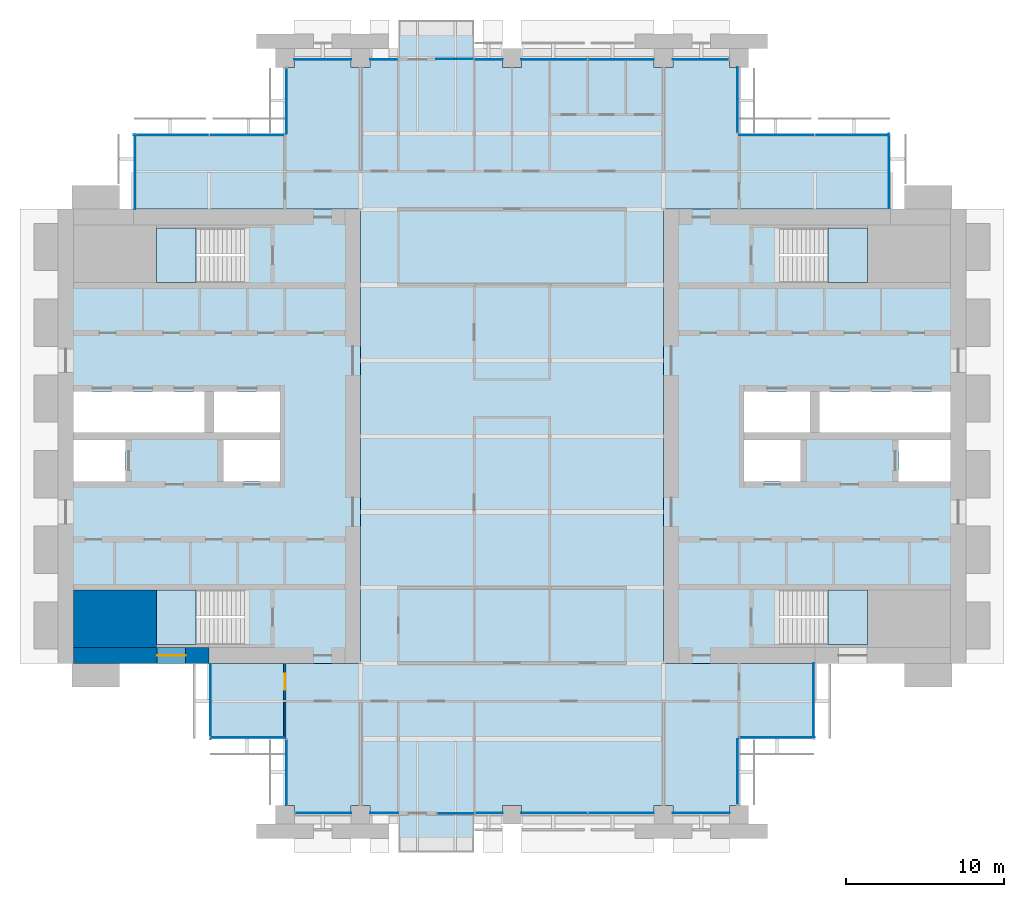
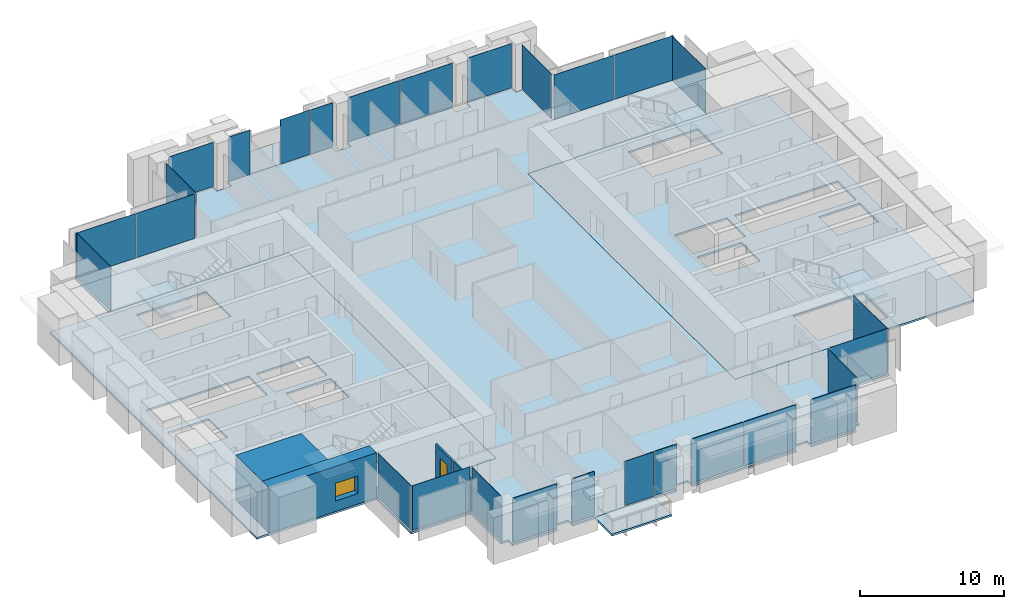
# One storey, part 8 of 15: 28 plates, 9 slabs, 4 walls, 1 door, 1 window, 2 openings, 22 elements without a shape of their own.
"""IFC4 building model written with IfcOpenShell, lengths in metres."""

from ifc_helpers import new_model, si_unit, direction, frame, frame_2d, origin, origin_2d, place, context, subcontext, project, spatial, polyline, rectangle, outline, extrude, material, layer, layer_set, type_object, element, fill, aggregate, save


model = new_model("IFC4")

# Units and contexts
model_context = context("Model", 3, precision=1e-05, world=origin(), true_north=direction((0.0, 1.0)))
body_context = subcontext(model_context, "Body", "Model", "MODEL_VIEW")
ifc_project = project(units=[si_unit("LENGTHUNIT", "METRE"), si_unit("AREAUNIT", "SQUARE_METRE"), si_unit("VOLUMEUNIT", "CUBIC_METRE"), si_unit("PLANEANGLEUNIT", "RADIAN"), si_unit("MASSUNIT", "GRAM", prefix="KILO")], contexts=[model_context])

# Site, building, storey
site_placement = place(None, origin())
site = spatial("IfcSite", under=ifc_project, at=site_placement, CompositionType="ELEMENT")
building_placement = place(site_placement, origin())
building = spatial("IfcBuilding", under=site, at=building_placement, Name="Baori Bourse Tower", CompositionType="ELEMENT")
storey_placement = place(building_placement, frame((0.0, 0.0, 128.10009765625)))
storey = spatial("IfcBuildingStorey", under=building, at=storey_placement, Name="L27", CompositionType="ELEMENT", Elevation=128.10009765625)

# Slabs
ifc_material_1 = material(Name="Concrete f'c 40 MPa", Category="concrete")
ifc_layer_1 = layer(ifc_material_1, 0.159912109375)
ifc_layer_set_1 = layer_set([ifc_layer_1], Name="BL2 Balcony slab 160")
slab_type_1 = type_object("IfcSlabType", Name="BL2 Balcony slab 160", PredefinedType="FLOOR", material=ifc_layer_set_1)
slab_1_placement = place(storey_placement, frame((0.0, 0.0, -0.16015625)))
element("IfcSlab", 1, at=slab_1_placement, inside=storey, type_object=slab_type_1, Name="Balcony slab L27 S", PredefinedType="FLOOR", context=body_context, shape_type="SweptSolid", body=[
    extrude(outline(polyline([(21.60009765625, 0.0), (21.60009765625, -2.39990234375), (26.39990234375, -2.39990234375), (26.39990234375, 0.0), (21.60009765625, 0.0)])), origin(), (0.0, 0.0, 1.0), 0.16015625),
])
slab_2_placement = place(storey_placement, frame((0.0, 0.0, -0.16015625)))
element("IfcSlab", 2, at=slab_2_placement, inside=storey, type_object=slab_type_1, Name="Balcony slab L27 N", PredefinedType="FLOOR", context=body_context, shape_type="SweptSolid", body=[
    extrude(outline(polyline([(21.60009765625, 48.0), (26.39990234375, 48.0), (26.39990234375, 50.39990234375), (21.60009765625, 50.39990234375), (21.60009765625, 48.0)])), origin(), (0.0, 0.0, 1.0), 0.16015625),
])

# Curtain wall, plates
ifc_material_2 = material(Name="Pale anodised aluminium", Category="aluminium")
curtain_wall_type_1 = type_object("IfcCurtainWallType", Name="CW1 Curtain wall", PredefinedType="NOTDEFINED", material=ifc_material_2)
curtain_wall_1_placement = place(storey_placement, origin())
curtain_wall_1 = element("IfcCurtainWall", 3, at=curtain_wall_1_placement, inside=storey, type_object=curtain_wall_type_1, Name="Curtain wall CW1 L27 4", PredefinedType="NOTDEFINED")
ifc_material_3 = material(Name="Clear glass", Category="glass")
ifc_layer_2 = layer(ifc_material_3, 0.033935546875)
ifc_layer_set_2 = layer_set([ifc_layer_2], Name="CW1 Curtain wall panel")
plate_type_1 = type_object("IfcPlateType", Name="CW1 Curtain wall panel", PredefinedType="CURTAIN_PANEL", material=ifc_layer_set_2)
plate_1_placement = place(storey_placement, frame((40.77001953125, 47.89990234375, 0.080078125), z_axis=(0.0, 0.0, 1.0), x_axis=(-1.0, 0.0, 0.0)))
plate_1 = element("IfcPlate", 4, at=plate_1_placement, type_object=plate_type_1, Name="Curtain wall CW1 panel", PredefinedType="CURTAIN_PANEL", context=body_context, shape_type="SweptSolid", body=[
    extrude(rectangle(XDim=3.5400390625, YDim=0.033935546875, at=origin_2d()), origin(), (0.0, 0.0, 1.0), 3.760009765625),
])
plate_2_placement = place(storey_placement, frame((35.715087890625, 47.89990234375, 0.080078125), z_axis=(0.0, 0.0, 1.0), x_axis=(-1.0, 0.0, 0.0)))
plate_2 = element("IfcPlate", 5, at=plate_2_placement, type_object=plate_type_1, Name="Curtain wall CW1 panel", PredefinedType="CURTAIN_PANEL", context=body_context, shape_type="SweptSolid", body=[
    extrude(rectangle(XDim=4.169921875, YDim=0.033935546875, at=origin_2d()), origin(), (0.0, 0.0, 1.0), 3.760009765625),
])
plate_3_placement = place(storey_placement, frame((31.485107421875, 47.89990234375, 0.080078125), z_axis=(0.0, 0.0, 1.0), x_axis=(-1.0, 0.0, 0.0)))
plate_3 = element("IfcPlate", 6, at=plate_3_placement, type_object=plate_type_1, Name="Curtain wall CW1 panel", PredefinedType="CURTAIN_PANEL", context=body_context, shape_type="SweptSolid", body=[
    extrude(rectangle(XDim=4.169921875, YDim=0.033935546875, at=origin_2d()), origin(), (0.0, 0.0, 1.0), 3.760009765625),
])
plate_4_placement = place(storey_placement, frame((27.300048828125, 47.89990234375, 0.080078125), z_axis=(0.0, 0.0, 1.0), x_axis=(-1.0, 0.0, 0.0)))
plate_4 = element("IfcPlate", 7, at=plate_4_placement, type_object=plate_type_1, Name="Curtain wall CW1 panel", PredefinedType="CURTAIN_PANEL", context=body_context, shape_type="SweptSolid", body=[
    extrude(rectangle(XDim=1.800048828125, YDim=0.033935546875, at=origin_2d()), origin(), (0.0, 0.0, 1.0), 3.760009765625),
])
aggregate(curtain_wall_1, [plate_1, plate_2, plate_3, plate_4])

curtain_wall_2_placement = place(storey_placement, origin())
curtain_wall_2 = element("IfcCurtainWall", 8, at=curtain_wall_2_placement, inside=storey, type_object=curtain_wall_type_1, Name="Curtain wall CW1 L27 6", PredefinedType="NOTDEFINED")
plate_5_placement = place(storey_placement, frame((20.669921875, 47.89990234375, 0.080078125), z_axis=(0.0, 0.0, 1.0), x_axis=(-1.0, 0.0, 0.0)))
plate_5 = element("IfcPlate", 9, at=plate_5_placement, type_object=plate_type_1, Name="Curtain wall CW1 panel", PredefinedType="CURTAIN_PANEL", context=body_context, shape_type="SweptSolid", body=[
    extrude(rectangle(XDim=1.739990234375, YDim=0.033935546875, at=origin_2d()), origin(), (0.0, 0.0, 1.0), 3.760009765625),
])
plate_6_placement = place(storey_placement, frame((16.800048828125, 47.89990234375, 0.080078125), z_axis=(0.0, 0.0, 1.0), x_axis=(-1.0, 0.0, 0.0)))
plate_6 = element("IfcPlate", 10, at=plate_6_placement, type_object=plate_type_1, Name="Curtain wall CW1 panel", PredefinedType="CURTAIN_PANEL", context=body_context, shape_type="SweptSolid", body=[
    extrude(rectangle(XDim=3.60009765625, YDim=0.033935546875, at=origin_2d()), origin(), (0.0, 0.0, 1.0), 3.760009765625),
])
aggregate(curtain_wall_2, [plate_5, plate_6])

curtain_wall_3_placement = place(storey_placement, origin())
curtain_wall_3 = element("IfcCurtainWall", 11, at=curtain_wall_3_placement, inside=storey, type_object=curtain_wall_type_1, Name="Curtain wall CW1 L27 13", PredefinedType="NOTDEFINED")
plate_7_placement = place(storey_placement, frame((16.830078125, 0.10009765625, 0.080078125), z_axis=(0.0, 0.0, 1.0), x_axis=(1.0, 0.0, 0.0)))
plate_7 = element("IfcPlate", 12, at=plate_7_placement, type_object=plate_type_1, Name="Curtain wall CW1 panel", PredefinedType="CURTAIN_PANEL", context=body_context, shape_type="SweptSolid", body=[
    extrude(rectangle(XDim=3.5400390625, YDim=0.033935546875, at=origin_2d()), origin(), (0.0, 0.0, 1.0), 3.760009765625),
])
plate_8_placement = place(storey_placement, frame((20.699951171875, 0.10009765625, 0.080078125), z_axis=(0.0, 0.0, 1.0), x_axis=(1.0, 0.0, 0.0)))
plate_8 = element("IfcPlate", 13, at=plate_8_placement, type_object=plate_type_1, Name="Curtain wall CW1 panel", PredefinedType="CURTAIN_PANEL", context=body_context, shape_type="SweptSolid", body=[
    extrude(rectangle(XDim=1.800048828125, YDim=0.033935546875, at=origin_2d()), origin(), (0.0, 0.0, 1.0), 3.760009765625),
])
aggregate(curtain_wall_3, [plate_7, plate_8])

curtain_wall_4_placement = place(storey_placement, origin())
curtain_wall_4 = element("IfcCurtainWall", 14, at=curtain_wall_4_placement, inside=storey, type_object=curtain_wall_type_1, Name="Curtain wall CW1 L27 15", PredefinedType="NOTDEFINED")
plate_9_placement = place(storey_placement, frame((27.330078125, 0.10009765625, 0.080078125), z_axis=(0.0, 0.0, 1.0), x_axis=(1.0, 0.0, 0.0)))
plate_9 = element("IfcPlate", 15, at=plate_9_placement, type_object=plate_type_1, Name="Curtain wall CW1 panel", PredefinedType="CURTAIN_PANEL", context=body_context, shape_type="SweptSolid", body=[
    extrude(rectangle(XDim=1.739990234375, YDim=0.033935546875, at=origin_2d()), origin(), (0.0, 0.0, 1.0), 3.760009765625),
])
plate_10_placement = place(storey_placement, frame((31.485107421875, 0.10009765625, 0.080078125), z_axis=(0.0, 0.0, 1.0), x_axis=(1.0, 0.0, 0.0)))
plate_10 = element("IfcPlate", 16, at=plate_10_placement, type_object=plate_type_1, Name="Curtain wall CW1 panel", PredefinedType="CURTAIN_PANEL", context=body_context, shape_type="SweptSolid", body=[
    extrude(rectangle(XDim=4.169921875, YDim=0.033935546875, at=origin_2d()), origin(), (0.0, 0.0, 1.0), 3.760009765625),
])
plate_11_placement = place(storey_placement, frame((35.715087890625, 0.10009765625, 0.080078125), z_axis=(0.0, 0.0, 1.0), x_axis=(1.0, 0.0, 0.0)))
plate_11 = element("IfcPlate", 17, at=plate_11_placement, type_object=plate_type_1, Name="Curtain wall CW1 panel", PredefinedType="CURTAIN_PANEL", context=body_context, shape_type="SweptSolid", body=[
    extrude(rectangle(XDim=4.169921875, YDim=0.033935546875, at=origin_2d()), origin(), (0.0, 0.0, 1.0), 3.760009765625),
])
plate_12_placement = place(storey_placement, frame((40.800048828125, 0.10009765625, 0.080078125), z_axis=(0.0, 0.0, 1.0), x_axis=(1.0, 0.0, 0.0)))
plate_12 = element("IfcPlate", 18, at=plate_12_placement, type_object=plate_type_1, Name="Curtain wall CW1 panel", PredefinedType="CURTAIN_PANEL", context=body_context, shape_type="SweptSolid", body=[
    extrude(rectangle(XDim=3.60009765625, YDim=0.033935546875, at=origin_2d()), origin(), (0.0, 0.0, 1.0), 3.760009765625),
])
aggregate(curtain_wall_4, [plate_9, plate_10, plate_11, plate_12])

# Curtain wall, plate
ifc_material_4 = material(Name="Pale anodised aluminium", Category="aluminium")
curtain_wall_type_2 = type_object("IfcCurtainWallType", Name="CW2 Curtain wall", PredefinedType="NOTDEFINED", material=ifc_material_4)
curtain_wall_5_placement = place(storey_placement, origin())
curtain_wall_5 = element("IfcCurtainWall", 19, at=curtain_wall_5_placement, inside=storey, type_object=curtain_wall_type_2, Name="Curtain wall CW2 L27 1", PredefinedType="NOTDEFINED")
ifc_material_5 = material(Name="Clear glass", Category="glass")
ifc_layer_3 = layer(ifc_material_5, 0.030029296875)
ifc_layer_set_3 = layer_set([ifc_layer_3], Name="CW2 Curtain wall panel")
plate_type_2 = type_object("IfcPlateType", Name="CW2 Curtain wall panel", PredefinedType="CURTAIN_PANEL", material=ifc_layer_set_3)
plate_13_placement = place(storey_placement, frame((52.7099609375, 40.827392578125, 0.06982421875), z_axis=(0.0, 0.0, 1.0), x_axis=(0.0, 1.0, 0.0)))
plate_13 = element("IfcPlate", 20, at=plate_13_placement, type_object=plate_type_2, Name="Curtain wall CW2 panel", PredefinedType="CURTAIN_PANEL", context=body_context, shape_type="SweptSolid", body=[
    extrude(rectangle(XDim=4.7451171875, YDim=0.030029296875, at=origin_2d()), origin(), (0.0, 0.0, 1.0), 3.77001953125),
])
aggregate(curtain_wall_5, [plate_13])

# Curtain wall, plates
curtain_wall_6_placement = place(storey_placement, origin())
curtain_wall_6 = element("IfcCurtainWall", 21, at=curtain_wall_6_placement, inside=storey, type_object=curtain_wall_type_2, Name="Curtain wall CW2 L27 2", PredefinedType="NOTDEFINED")
plate_14_placement = place(storey_placement, frame((50.38623046875, 43.110107421875, 0.06982421875), z_axis=(0.0, 0.0, 1.0), x_axis=(-1.0, 0.0, 0.0)))
plate_14 = element("IfcPlate", 22, at=plate_14_placement, type_object=plate_type_2, Name="Curtain wall CW2 panel", PredefinedType="CURTAIN_PANEL", context=body_context, shape_type="SweptSolid", body=[
    extrude(rectangle(XDim=4.717529296875, YDim=0.030029296875, at=origin_2d()), origin(), (0.0, 0.0, 1.0), 3.77001953125),
])
plate_15_placement = place(storey_placement, frame((45.586181640625, 43.110107421875, 0.06982421875), z_axis=(0.0, 0.0, 1.0), x_axis=(-1.0, 0.0, 0.0)))
plate_15 = element("IfcPlate", 23, at=plate_15_placement, type_object=plate_type_2, Name="Curtain wall CW2 panel", PredefinedType="CURTAIN_PANEL", context=body_context, shape_type="SweptSolid", body=[
    extrude(rectangle(XDim=4.7724609375, YDim=0.030029296875, at=origin_2d()), origin(), (0.0, 0.0, 1.0), 3.77001953125),
])
aggregate(curtain_wall_6, [plate_14, plate_15])

# Curtain wall, plate
curtain_wall_7_placement = place(storey_placement, origin())
curtain_wall_7 = element("IfcCurtainWall", 24, at=curtain_wall_7_placement, inside=storey, type_object=curtain_wall_type_2, Name="Curtain wall CW2 L27 3", PredefinedType="NOTDEFINED")
plate_16_placement = place(storey_placement, frame((43.110107421875, 45.327392578125, 0.06982421875), z_axis=(0.0, 0.0, 1.0), x_axis=(0.0, 1.0, 0.0)))
plate_16 = element("IfcPlate", 25, at=plate_16_placement, type_object=plate_type_2, Name="Curtain wall CW2 panel", PredefinedType="CURTAIN_PANEL", context=body_context, shape_type="SweptSolid", body=[
    extrude(rectangle(XDim=4.14501953125, YDim=0.030029296875, at=origin_2d()), origin(), (0.0, 0.0, 1.0), 3.77001953125),
])
aggregate(curtain_wall_7, [plate_16])

curtain_wall_8_placement = place(storey_placement, origin())
curtain_wall_8 = element("IfcCurtainWall", 26, at=curtain_wall_8_placement, inside=storey, type_object=curtain_wall_type_2, Name="Curtain wall CW2 L27 7", PredefinedType="NOTDEFINED")
plate_17_placement = place(storey_placement, frame((14.489990234375, 45.2724609375, 0.06982421875), z_axis=(0.0, 0.0, 1.0), x_axis=(0.0, -1.0, 0.0)))
plate_17 = element("IfcPlate", 27, at=plate_17_placement, type_object=plate_type_2, Name="Curtain wall CW2 panel", PredefinedType="CURTAIN_PANEL", context=body_context, shape_type="SweptSolid", body=[
    extrude(rectangle(XDim=4.14501953125, YDim=0.030029296875, at=origin_2d()), origin(), (0.0, 0.0, 1.0), 3.77001953125),
])
aggregate(curtain_wall_8, [plate_17])

# Curtain wall, plates
curtain_wall_9_placement = place(storey_placement, origin())
curtain_wall_9 = element("IfcCurtainWall", 28, at=curtain_wall_9_placement, inside=storey, type_object=curtain_wall_type_2, Name="Curtain wall CW2 L27 8", PredefinedType="NOTDEFINED")
plate_18_placement = place(storey_placement, frame((11.986328125, 43.110107421875, 0.06982421875), z_axis=(0.0, 0.0, 1.0), x_axis=(-1.0, 0.0, 0.0)))
plate_18 = element("IfcPlate", 29, at=plate_18_placement, type_object=plate_type_2, Name="Curtain wall CW2 panel", PredefinedType="CURTAIN_PANEL", context=body_context, shape_type="SweptSolid", body=[
    extrude(rectangle(XDim=4.717529296875, YDim=0.030029296875, at=origin_2d()), origin(), (0.0, 0.0, 1.0), 3.77001953125),
])
plate_19_placement = place(storey_placement, frame((7.186279296875, 43.110107421875, 0.06982421875), z_axis=(0.0, 0.0, 1.0), x_axis=(-1.0, 0.0, 0.0)))
plate_19 = element("IfcPlate", 30, at=plate_19_placement, type_object=plate_type_2, Name="Curtain wall CW2 panel", PredefinedType="CURTAIN_PANEL", context=body_context, shape_type="SweptSolid", body=[
    extrude(rectangle(XDim=4.7724609375, YDim=0.030029296875, at=origin_2d()), origin(), (0.0, 0.0, 1.0), 3.77001953125),
])
aggregate(curtain_wall_9, [plate_18, plate_19])

# Curtain wall, plate
curtain_wall_10_placement = place(storey_placement, origin())
curtain_wall_10 = element("IfcCurtainWall", 31, at=curtain_wall_10_placement, inside=storey, type_object=curtain_wall_type_2, Name="Curtain wall CW2 L27 9", PredefinedType="NOTDEFINED")
plate_20_placement = place(storey_placement, frame((4.889892578125, 40.7724609375, 0.06982421875), z_axis=(0.0, 0.0, 1.0), x_axis=(0.0, -1.0, 0.0)))
plate_20 = element("IfcPlate", 32, at=plate_20_placement, type_object=plate_type_2, Name="Curtain wall CW2 panel", PredefinedType="CURTAIN_PANEL", context=body_context, shape_type="SweptSolid", body=[
    extrude(rectangle(XDim=4.7451171875, YDim=0.030029296875, at=origin_2d()), origin(), (0.0, 0.0, 1.0), 3.77001953125),
])
aggregate(curtain_wall_10, [plate_20])

curtain_wall_11_placement = place(storey_placement, origin())
curtain_wall_11 = element("IfcCurtainWall", 33, at=curtain_wall_11_placement, inside=storey, type_object=curtain_wall_type_2, Name="Curtain wall CW2 L27 10", PredefinedType="NOTDEFINED")
plate_21_placement = place(storey_placement, frame((9.68994140625, 7.172607421875, 0.06982421875), z_axis=(0.0, 0.0, 1.0), x_axis=(0.0, -1.0, 0.0)))
plate_21 = element("IfcPlate", 34, at=plate_21_placement, type_object=plate_type_2, Name="Curtain wall CW2 panel", PredefinedType="CURTAIN_PANEL", context=body_context, shape_type="SweptSolid", body=[
    extrude(rectangle(XDim=4.7451171875, YDim=0.030029296875, at=origin_2d()), origin(), (0.0, 0.0, 1.0), 3.77001953125),
])
aggregate(curtain_wall_11, [plate_21])

curtain_wall_12_placement = place(storey_placement, origin())
curtain_wall_12 = element("IfcCurtainWall", 35, at=curtain_wall_12_placement, inside=storey, type_object=curtain_wall_type_2, Name="Curtain wall CW2 L27 11", PredefinedType="NOTDEFINED")
plate_22_placement = place(storey_placement, frame((12.027587890625, 4.889892578125, 0.06982421875), z_axis=(0.0, 0.0, 1.0), x_axis=(1.0, 0.0, 0.0)))
plate_22 = element("IfcPlate", 36, at=plate_22_placement, type_object=plate_type_2, Name="Curtain wall CW2 panel", PredefinedType="CURTAIN_PANEL", context=body_context, shape_type="SweptSolid", body=[
    extrude(rectangle(XDim=4.7451171875, YDim=0.030029296875, at=origin_2d()), origin(), (0.0, 0.0, 1.0), 3.77001953125),
])
aggregate(curtain_wall_12, [plate_22])

curtain_wall_13_placement = place(storey_placement, origin())
curtain_wall_13 = element("IfcCurtainWall", 37, at=curtain_wall_13_placement, inside=storey, type_object=curtain_wall_type_2, Name="Curtain wall CW2 L27 12", PredefinedType="NOTDEFINED")
plate_23_placement = place(storey_placement, frame((14.489990234375, 2.672607421875, 0.06982421875), z_axis=(0.0, 0.0, 1.0), x_axis=(0.0, -1.0, 0.0)))
plate_23 = element("IfcPlate", 38, at=plate_23_placement, type_object=plate_type_2, Name="Curtain wall CW2 panel", PredefinedType="CURTAIN_PANEL", context=body_context, shape_type="SweptSolid", body=[
    extrude(rectangle(XDim=4.14501953125, YDim=0.030029296875, at=origin_2d()), origin(), (0.0, 0.0, 1.0), 3.77001953125),
])
aggregate(curtain_wall_13, [plate_23])

curtain_wall_14_placement = place(storey_placement, origin())
curtain_wall_14 = element("IfcCurtainWall", 39, at=curtain_wall_14_placement, inside=storey, type_object=curtain_wall_type_2, Name="Curtain wall CW2 L27 16", PredefinedType="NOTDEFINED")
plate_24_placement = place(storey_placement, frame((43.110107421875, 2.7275390625, 0.06982421875), z_axis=(0.0, 0.0, 1.0), x_axis=(0.0, 1.0, 0.0)))
plate_24 = element("IfcPlate", 40, at=plate_24_placement, type_object=plate_type_2, Name="Curtain wall CW2 panel", PredefinedType="CURTAIN_PANEL", context=body_context, shape_type="SweptSolid", body=[
    extrude(rectangle(XDim=4.14501953125, YDim=0.030029296875, at=origin_2d()), origin(), (0.0, 0.0, 1.0), 3.77001953125),
])
aggregate(curtain_wall_14, [plate_24])

curtain_wall_15_placement = place(storey_placement, origin())
curtain_wall_15 = element("IfcCurtainWall", 41, at=curtain_wall_15_placement, inside=storey, type_object=curtain_wall_type_2, Name="Curtain wall CW2 L27 17", PredefinedType="NOTDEFINED")
plate_25_placement = place(storey_placement, frame((45.62744140625, 4.889892578125, 0.06982421875), z_axis=(0.0, 0.0, 1.0), x_axis=(1.0, 0.0, 0.0)))
plate_25 = element("IfcPlate", 42, at=plate_25_placement, type_object=plate_type_2, Name="Curtain wall CW2 panel", PredefinedType="CURTAIN_PANEL", context=body_context, shape_type="SweptSolid", body=[
    extrude(rectangle(XDim=4.7451171875, YDim=0.030029296875, at=origin_2d()), origin(), (0.0, 0.0, 1.0), 3.77001953125),
])
aggregate(curtain_wall_15, [plate_25])

curtain_wall_16_placement = place(storey_placement, origin())
curtain_wall_16 = element("IfcCurtainWall", 43, at=curtain_wall_16_placement, inside=storey, type_object=curtain_wall_type_2, Name="Curtain wall CW2 L27 18", PredefinedType="NOTDEFINED")
plate_26_placement = place(storey_placement, frame((47.909912109375, 7.2275390625, 0.06982421875), z_axis=(0.0, 0.0, 1.0), x_axis=(0.0, 1.0, 0.0)))
plate_26 = element("IfcPlate", 44, at=plate_26_placement, type_object=plate_type_2, Name="Curtain wall CW2 panel", PredefinedType="CURTAIN_PANEL", context=body_context, shape_type="SweptSolid", body=[
    extrude(rectangle(XDim=4.7451171875, YDim=0.030029296875, at=origin_2d()), origin(), (0.0, 0.0, 1.0), 3.77001953125),
])
aggregate(curtain_wall_16, [plate_26])

ifc_material_6 = material(Name="Pale anodised aluminium", Category="aluminium")
curtain_wall_type_3 = type_object("IfcCurtainWallType", Name="CW6 Curtain wall", PredefinedType="NOTDEFINED", material=ifc_material_6)
curtain_wall_17_placement = place(storey_placement, origin())
curtain_wall_17 = element("IfcCurtainWall", 45, at=curtain_wall_17_placement, inside=storey, type_object=curtain_wall_type_3, Name="Curtain wall CW6 L27 5", PredefinedType="NOTDEFINED")
ifc_material_7 = material(Name="Clear glass", Category="glass")
ifc_layer_4 = layer(ifc_material_7, 0.028076171875)
ifc_layer_set_4 = layer_set([ifc_layer_4], Name="CW6 Curtain wall panel")
plate_type_3 = type_object("IfcPlateType", Name="CW6 Curtain wall panel", PredefinedType="CURTAIN_PANEL", material=ifc_layer_set_4)
plate_27_placement = place(storey_placement, frame((25.175048828125, 47.925048828125, 0.06494140625), z_axis=(0.0, 0.0, 1.0), x_axis=(-1.0, 0.0, 0.0)))
plate_27 = element("IfcPlate", 46, at=plate_27_placement, type_object=plate_type_3, Name="Curtain wall CW6 panel", PredefinedType="CURTAIN_PANEL", context=body_context, shape_type="SweptSolid", body=[
    extrude(rectangle(XDim=2.35009765625, YDim=0.028076171875, at=origin_2d()), origin(), (0.0, 0.0, 1.0), 3.77490234375),
])
aggregate(curtain_wall_17, [plate_27])

curtain_wall_18_placement = place(storey_placement, origin())
curtain_wall_18 = element("IfcCurtainWall", 47, at=curtain_wall_18_placement, inside=storey, type_object=curtain_wall_type_3, Name="Curtain wall CW6 L27 14", PredefinedType="NOTDEFINED")
plate_28_placement = place(storey_placement, frame((25.22509765625, 0.074951171875, 0.06494140625), z_axis=(0.0, 0.0, 1.0), x_axis=(1.0, 0.0, 0.0)))
plate_28 = element("IfcPlate", 48, at=plate_28_placement, type_object=plate_type_3, Name="Curtain wall CW6 panel", PredefinedType="CURTAIN_PANEL", context=body_context, shape_type="SweptSolid", body=[
    extrude(rectangle(XDim=2.35009765625, YDim=0.028076171875, at=origin_2d()), origin(), (0.0, 0.0, 1.0), 3.77490234375),
])
aggregate(curtain_wall_18, [plate_28])

# Slabs
ifc_material_8 = material(Name="Concrete f'c 50 MPa", Category="concrete")
ifc_layer_5 = layer(ifc_material_8, 0.159912109375)
ifc_layer_set_5 = layer_set([ifc_layer_5], Name="Core slab 160")
slab_type_2 = type_object("IfcSlabType", Name="Core slab 160", PredefinedType="FLOOR", material=ifc_layer_set_5)
slab_3_placement = place(storey_placement, frame((0.0, 0.0, -0.16015625)))
element("IfcSlab", 49, at=slab_3_placement, inside=storey, type_object=slab_type_2, Name="Core floor slab W01", PredefinedType="FLOOR", context=body_context, shape_type="SweptSolid", body=[
    extrude(outline(polyline([(0.0, 38.39990234375), (0.0, 9.60009765625), (19.199951171875, 9.60009765625), (19.199951171875, 38.39990234375), (0.0, 38.39990234375)]), holes=[polyline([(10.5, 21.14990234375), (10.5, 23.75), (14.10009765625, 23.75), (14.10009765625, 21.14990234375), (10.5, 21.14990234375)]), polyline([(14.10009765625, 24.25), (9.89990234375, 24.25), (9.89990234375, 26.85009765625), (14.10009765625, 26.85009765625), (14.10009765625, 24.25)]), polyline([(6.25, 14.25), (11.84912109375, 14.25), (11.84912109375, 10.800048828125), (6.25, 10.800048828125), (6.25, 14.25)]), polyline([(11.84912109375, 37.199951171875), (11.84912109375, 33.75), (6.25, 33.75), (6.25, 37.199951171875), (11.84912109375, 37.199951171875)]), polyline([(1.0, 26.85009765625), (9.300048828125, 26.85009765625), (9.300048828125, 24.25), (1.0, 24.25), (1.0, 26.85009765625)]), polyline([(4.300048828125, 23.75), (4.300048828125, 21.14990234375), (1.0, 21.14990234375), (1.0, 23.75), (4.300048828125, 23.75)])]), origin(), (0.0, 0.0, 1.0), 0.16015625),
])
slab_4_placement = place(storey_placement, frame((0.0, 0.0, -0.16015625)))
element("IfcSlab", 50, at=slab_4_placement, inside=storey, type_object=slab_type_2, Name="Core floor slab E01", PredefinedType="FLOOR", context=body_context, shape_type="SweptSolid", body=[
    extrude(outline(polyline([(57.60009765625, 38.39990234375), (38.39990234375, 38.39990234375), (38.39990234375, 9.60009765625), (57.60009765625, 9.60009765625), (57.60009765625, 38.39990234375)]), holes=[polyline([(56.60009765625, 21.14990234375), (53.300048828125, 21.14990234375), (53.300048828125, 23.75), (56.60009765625, 23.75), (56.60009765625, 21.14990234375)]), polyline([(56.60009765625, 26.85009765625), (56.60009765625, 24.25), (48.300048828125, 24.25), (48.300048828125, 26.85009765625), (56.60009765625, 26.85009765625)]), polyline([(45.750732421875, 14.25), (51.35009765625, 14.25), (51.35009765625, 10.800048828125), (45.750732421875, 10.800048828125), (45.750732421875, 14.25)]), polyline([(51.35009765625, 37.199951171875), (51.35009765625, 33.75), (45.750732421875, 33.75), (45.750732421875, 37.199951171875), (51.35009765625, 37.199951171875)]), polyline([(43.5, 24.25), (43.5, 26.85009765625), (47.699951171875, 26.85009765625), (47.699951171875, 24.25), (43.5, 24.25)]), polyline([(43.5, 23.75), (47.10009765625, 23.75), (47.10009765625, 21.14990234375), (43.5, 21.14990234375), (43.5, 23.75)])]), origin(), (0.0, 0.0, 1.0), 0.16015625),
])

# Stair, slab
ifc_material_9 = material(Name="Concrete f'c 50 MPa", Category="concrete")
stair_type = type_object("IfcStairType", Name="Core stair", PredefinedType="HALF_TURN_STAIR", material=ifc_material_9)
stair_1_placement = place(storey_placement, origin())
stair_1 = element("IfcStair", 51, at=stair_1_placement, inside=storey, type_object=stair_type, Name="L27 Stair WA", PredefinedType="HALF_TURN_STAIR")
ifc_material_10 = material(Name="Concrete f'c 50 MPa", Category="concrete")
slab_type_3 = type_object("IfcSlabType", Name="Core stair landing", PredefinedType="LANDING", material=ifc_material_10)
slab_5_placement = place(storey_placement, frame((0.0, 0.0, 1.7998046875)))
slab_5 = element("IfcSlab", 52, at=slab_5_placement, type_object=slab_type_3, Name="ST1 landing 1", PredefinedType="LANDING", context=body_context, shape_type="SweptSolid", body=[
    extrude(outline(polyline([(8.77001953125, 14.25), (6.25, 14.25), (6.25, 10.800048828125), (8.77001953125, 10.800048828125), (8.77001953125, 14.25)])), origin(), (0.0, 0.0, 1.0), 0.2001953125),
])
aggregate(stair_1, [slab_5])

stair_2_placement = place(storey_placement, origin())
stair_2 = element("IfcStair", 53, at=stair_2_placement, inside=storey, type_object=stair_type, Name="L27 Stair WB", PredefinedType="HALF_TURN_STAIR")
slab_6_placement = place(storey_placement, frame((0.0, 0.0, 1.7998046875)))
slab_6 = element("IfcSlab", 54, at=slab_6_placement, type_object=slab_type_3, Name="ST2 landing 1", PredefinedType="LANDING", context=body_context, shape_type="SweptSolid", body=[
    extrude(outline(polyline([(8.77001953125, 37.199951171875), (6.25, 37.199951171875), (6.25, 33.75), (8.77001953125, 33.75), (8.77001953125, 37.199951171875)])), origin(), (0.0, 0.0, 1.0), 0.2001953125),
])
aggregate(stair_2, [slab_6])

stair_3_placement = place(storey_placement, origin())
stair_3 = element("IfcStair", 55, at=stair_3_placement, inside=storey, type_object=stair_type, Name="L27 Stair EA", PredefinedType="HALF_TURN_STAIR")
slab_7_placement = place(storey_placement, frame((0.0, 0.0, 1.7998046875)))
slab_7 = element("IfcSlab", 56, at=slab_7_placement, type_object=slab_type_3, Name="ST3 landing 1", PredefinedType="LANDING", context=body_context, shape_type="SweptSolid", body=[
    extrude(outline(polyline([(48.830078125, 10.800048828125), (51.35009765625, 10.800048828125), (51.35009765625, 14.25), (48.830078125, 14.25), (48.830078125, 10.800048828125)])), origin(), (0.0, 0.0, 1.0), 0.2001953125),
])
aggregate(stair_3, [slab_7])

stair_4_placement = place(storey_placement, origin())
stair_4 = element("IfcStair", 57, at=stair_4_placement, inside=storey, type_object=stair_type, Name="L27 Stair EB", PredefinedType="HALF_TURN_STAIR")
slab_8_placement = place(storey_placement, frame((0.0, 0.0, 1.7998046875)))
slab_8 = element("IfcSlab", 58, at=slab_8_placement, type_object=slab_type_3, Name="ST4 landing 1", PredefinedType="LANDING", context=body_context, shape_type="SweptSolid", body=[
    extrude(outline(polyline([(48.830078125, 33.75), (51.35009765625, 33.75), (51.35009765625, 37.199951171875), (48.830078125, 37.199951171875), (48.830078125, 33.75)])), origin(), (0.0, 0.0, 1.0), 0.2001953125),
])
aggregate(stair_4, [slab_8])

# Slab
ifc_material_11 = material(Name="Concrete f'c 40 MPa", Category="concrete")
ifc_layer_6 = layer(ifc_material_11, 0.159912109375)
ifc_layer_set_6 = layer_set([ifc_layer_6], Name="Floor slab 160")
slab_type_4 = type_object("IfcSlabType", Name="Floor slab 160", PredefinedType="FLOOR", material=ifc_layer_set_6)
slab_9_placement = place(storey_placement, frame((0.0, 0.0, -0.16015625)))
element("IfcSlab", 59, at=slab_9_placement, inside=storey, type_object=slab_type_4, Name="Floor slab L27", PredefinedType="FLOOR", context=body_context, shape_type="SweptSolid", body=[
    extrude(outline(polyline([(14.39990234375, 4.800048828125), (9.60009765625, 4.800048828125), (9.60009765625, 9.60009765625), (19.199951171875, 9.60009765625), (19.199951171875, 38.39990234375), (4.800048828125, 38.39990234375), (4.800048828125, 43.199951171875), (14.39990234375, 43.199951171875), (14.39990234375, 47.39990234375), (15.0, 47.39990234375), (15.0, 48.0), (18.60009765625, 48.0), (18.60009765625, 47.39990234375), (19.800048828125, 47.39990234375), (19.800048828125, 48.0), (28.199951171875, 48.0), (28.199951171875, 47.39990234375), (29.39990234375, 47.39990234375), (29.39990234375, 48.0), (37.800048828125, 48.0), (37.800048828125, 47.39990234375), (39.0, 47.39990234375), (39.0, 48.0), (42.60009765625, 48.0), (42.60009765625, 47.39990234375), (43.199951171875, 47.39990234375), (43.199951171875, 43.199951171875), (52.800048828125, 43.199951171875), (52.800048828125, 38.39990234375), (38.39990234375, 38.39990234375), (38.39990234375, 9.60009765625), (48.0, 9.60009765625), (48.0, 4.800048828125), (43.199951171875, 4.800048828125), (43.199951171875, 0.60009765625), (42.60009765625, 0.60009765625), (42.60009765625, 0.0), (39.0, 0.0), (39.0, 0.60009765625), (37.800048828125, 0.60009765625), (37.800048828125, 0.0), (29.39990234375, 0.0), (29.39990234375, 0.60009765625), (28.199951171875, 0.60009765625), (28.199951171875, 0.0), (19.800048828125, 0.0), (19.800048828125, 0.60009765625), (18.60009765625, 0.60009765625), (18.60009765625, 0.0), (15.0, 0.0), (15.0, 0.60009765625), (14.39990234375, 0.60009765625), (14.39990234375, 4.800048828125)])), origin(), (0.0, 0.0, 1.0), 0.16015625),
])

# Wall
ifc_material_12 = material(Name="Concrete f'c 60 MPa", Category="concrete")
wall_type_1 = type_object("IfcWallType", Name="Core corner block f'c 60", PredefinedType="SHEAR", material=ifc_material_12)
wall_1_placement = place(storey_placement, frame((1.0, 12.425048828125, 0.0), z_axis=(0.0, 0.0, 1.0), x_axis=(1.0, 0.0, 0.0)))
element("IfcWall", 60, at=wall_1_placement, inside=storey, type_object=wall_type_1, Name="Core wall W05", PredefinedType="SHEAR", context=body_context, shape_type="SweptSolid", body=[
    extrude(rectangle(XDim=5.25, YDim=3.64990234375, at=frame_2d((2.625, 0.0))), origin(), (0.0, 0.0, 1.0), 3.83984375),
])

# Wall, opening, window
ifc_material_13 = material(Name="Concrete f'c 60 MPa", Category="concrete")
ifc_layer_7 = layer(ifc_material_13, 1.0)
ifc_layer_set_7 = layer_set([ifc_layer_7], Name="Core wall 1000 f'c 60")
wall_type_2 = type_object("IfcWallType", Name="Core wall 1000 f'c 60", PredefinedType="SHEAR", material=ifc_layer_set_7)
wall_2_placement = place(storey_placement, frame((9.60009765625, 10.10009765625, 0.0), z_axis=(0.0, 0.0, 1.0), x_axis=(-1.0, 0.0, 0.0)))
wall_2 = element("IfcWall", 61, at=wall_2_placement, inside=storey, type_object=wall_type_2, Name="Core wall W02", PredefinedType="SHEAR", context=body_context, shape_type="SweptSolid", body=[
    extrude(rectangle(XDim=8.60009765625, YDim=1.0, at=frame_2d((4.300048828125, 0.0))), origin(), (0.0, 0.0, 1.0), 3.83984375),
])
opening_1_placement = place(wall_2_placement, frame((1.5, 0.0, 0.89990234375)))
opening_1 = element("IfcOpeningElement", 62, at=opening_1_placement, cuts=wall_2, Name="Opening L27-KW103", PredefinedType="OPENING", context=body_context, shape_type="SweptSolid", body=[
    extrude(rectangle(XDim=1.800048828125, YDim=1.5, at=frame_2d((0.89990234375, 0.75))), frame((0.0, 0.510009765625, 0.0), z_axis=(0.0, -1.0, 0.0), x_axis=(1.0, 0.0, 0.0)), (0.0, 0.0, 1.0), 1.02001953125),
])
ifc_material_14 = material(Name="Pale anodised aluminium", Category="aluminium")
window_type = type_object("IfcWindowType", Name="Stair window 1800 x 1500", PartitioningType="SINGLE_PANEL", PredefinedType="WINDOW", material=ifc_material_14)
window_placement = place(opening_1_placement, origin())
window = element("IfcWindow", 63, at=window_placement, inside=storey, type_object=window_type, Name="Stair window W L27 3", OverallHeight=1.5, OverallWidth=1.800048828125, PartitioningType="SINGLE_PANEL", PredefinedType="WINDOW", context=body_context, shape_type="SweptSolid", body=[
    extrude(rectangle(XDim=1.800048828125, YDim=1.5, at=frame_2d((0.89990234375, 0.75))), frame((0.0, 0.030029296875, 0.0), z_axis=(0.0, -1.0, 0.0), x_axis=(1.0, 0.0, 0.0)), (0.0, 0.0, 1.0), 0.06005859375),
])
fill(opening_1, window)

# Wall, opening, door
ifc_material_15 = material(Name="Gypsum board partition")
ifc_layer_8 = layer(ifc_material_15, 0.14990234375)
ifc_layer_set_8 = layer_set([ifc_layer_8], Name="Corridor partition 150")
wall_type_3 = type_object("IfcWallType", Name="Corridor partition 150", PredefinedType="PARTITIONING", material=ifc_layer_set_8)
wall_3_placement = place(storey_placement, frame((14.39990234375, 7.27490234375, 0.0), z_axis=(0.0, 0.0, 1.0), x_axis=(0.0, 1.0, 0.0)))
wall_3 = element("IfcWall", 64, at=wall_3_placement, inside=storey, type_object=wall_type_3, Name="Partition", PredefinedType="PARTITIONING", context=body_context, shape_type="SweptSolid", body=[
    extrude(rectangle(XDim=2.3251953125, YDim=0.14990234375, at=frame_2d((1.16259765625, 0.0))), origin(), (0.0, 0.0, 1.0), 2.935546875),
])
opening_2_placement = place(wall_3_placement, frame((0.66259765625, 0.0, 0.0)))
opening_2 = element("IfcOpeningElement", 65, at=opening_2_placement, cuts=wall_3, Name="Opening L27-D19", PredefinedType="OPENING", context=body_context, shape_type="SweptSolid", body=[
    extrude(rectangle(XDim=1.0, YDim=2.10009765625, at=frame_2d((0.5, 1.050048828125))), frame((0.0, 0.0849609375, 0.0), z_axis=(0.0, -1.0, 0.0), x_axis=(1.0, 0.0, 0.0)), (0.0, 0.0, 1.0), 0.169921875),
])
ifc_material_16 = material(Name="Timber door leaf", Category="wood")
door_type = type_object("IfcDoorType", Name="Door 1000 x 2100", OperationType="SINGLE_SWING_LEFT", PredefinedType="DOOR", material=ifc_material_16)
door_placement = place(opening_2_placement, origin())
door = element("IfcDoor", 66, at=door_placement, inside=storey, type_object=door_type, Name="Door", OperationType="SINGLE_SWING_RIGHT", OverallHeight=2.10009765625, OverallWidth=1.0, PredefinedType="DOOR", context=body_context, shape_type="SweptSolid", body=[
    extrude(rectangle(XDim=1.0, YDim=2.10009765625, at=frame_2d((0.5, 1.050048828125))), frame((0.0, 0.02490234375, 0.0), z_axis=(0.0, -1.0, 0.0), x_axis=(1.0, 0.0, 0.0)), (0.0, 0.0, 1.0), 0.050048828125),
])
fill(opening_2, door)

# Wall
ifc_material_17 = material(Name="Gypsum board partition")
ifc_layer_9 = layer(ifc_material_17, 0.125)
ifc_layer_set_9 = layer_set([ifc_layer_9], Name="Partition 125")
wall_type_4 = type_object("IfcWallType", Name="Partition 125", PredefinedType="PARTITIONING", material=ifc_layer_set_9)
wall_4_placement = place(storey_placement, frame((14.39990234375, 4.89990234375, 0.0), z_axis=(0.0, 0.0, 1.0), x_axis=(0.0, 1.0, 0.0)))
element("IfcWall", 67, at=wall_4_placement, inside=storey, type_object=wall_type_4, Name="Partition", PredefinedType="PARTITIONING", context=body_context, shape_type="SweptSolid", body=[
    extrude(rectangle(XDim=2.22509765625, YDim=0.125, at=frame_2d((1.112548828125, 0.0))), origin(), (0.0, 0.0, 1.0), 2.935546875),
])

save(model, "model.ifc")
